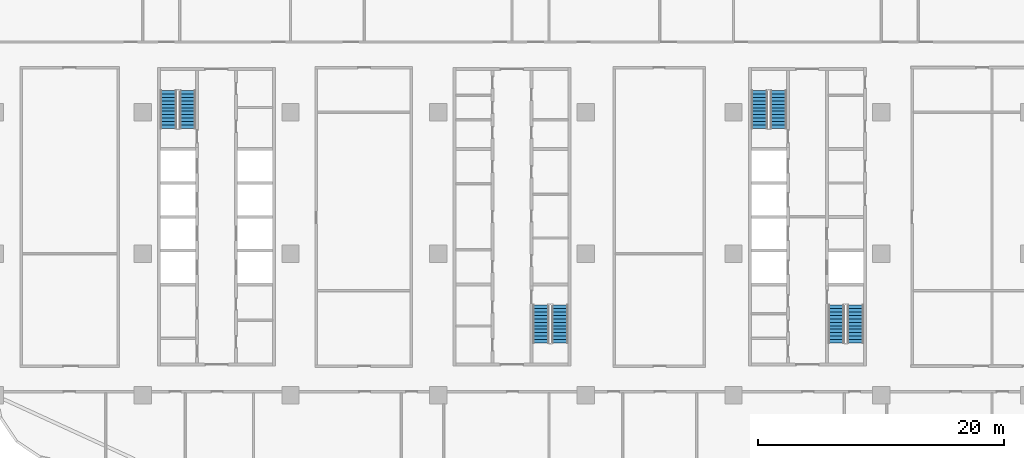
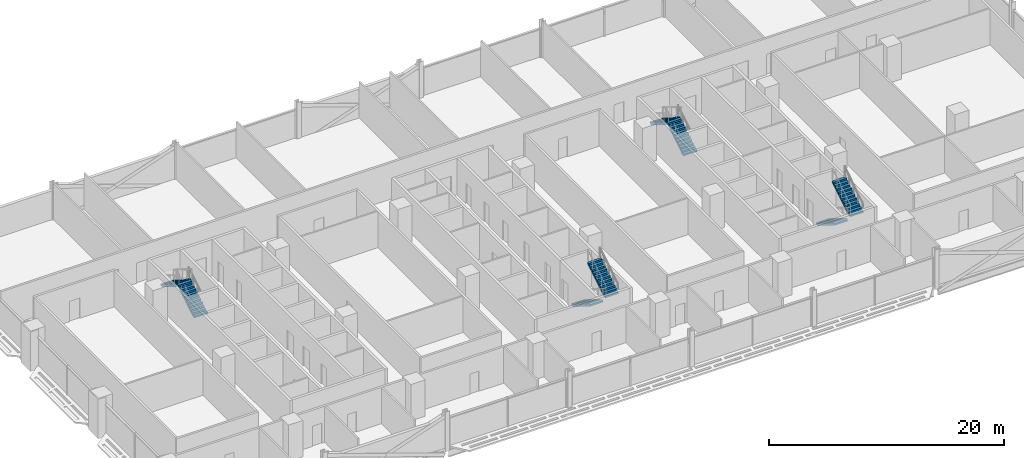
# One storey, part 18 of 29: 8 stair flights, 4 elements without a shape of their own.
"""IFC4 building model written with IfcOpenShell, lengths in metres."""

from ifc_helpers import new_model, si_unit, direction, frame, origin, place, context, subcontext, project, spatial, polyline, outline, extrude, material, type_object, element, aggregate, save


model = new_model("IFC4")

# Units and contexts
model_context = context("Model", 3, precision=1e-05, world=origin(), true_north=direction((0.0, 1.0)))
body_context = subcontext(model_context, "Body", "Model", "MODEL_VIEW")
ifc_project = project(units=[si_unit("LENGTHUNIT", "METRE"), si_unit("AREAUNIT", "SQUARE_METRE"), si_unit("VOLUMEUNIT", "CUBIC_METRE"), si_unit("PLANEANGLEUNIT", "RADIAN"), si_unit("MASSUNIT", "GRAM", prefix="KILO")], contexts=[model_context])

# Site, building, storey
site_placement = place(None, origin())
site = spatial("IfcSite", under=ifc_project, at=site_placement, CompositionType="ELEMENT")
building_placement = place(site_placement, origin())
building = spatial("IfcBuilding", under=site, at=building_placement, Name="Mahtab Terrace Research Tower", CompositionType="ELEMENT")
storey_placement = place(building_placement, frame((0.0, 0.0, 88.89990234375)))
storey = spatial("IfcBuildingStorey", under=building, at=storey_placement, Name="L20", CompositionType="ELEMENT", Elevation=88.89990234375)

# Stair, stair flights
ifc_material_1 = material(Name="Exit stair half-turn")
stair_type = type_object("IfcStairType", Name="Exit stair half-turn", PredefinedType="HALF_TURN_STAIR", material=ifc_material_1)
stair_1_placement = place(storey_placement, origin())
stair_1 = element("IfcStair", 1, at=stair_1_placement, inside=storey, type_object=stair_type, Name="L20 Protected exit stair ST1", PredefinedType="HALF_TURN_STAIR")
ifc_material_2 = material(Name="Concrete C40/50", Category="concrete")
stair_flight_type = type_object("IfcStairFlightType", Name="Exit stair flight 1300", PredefinedType="STRAIGHT", material=ifc_material_2)
stair_flight_1_placement = place(storey_placement, frame((-26.35009765625, 10.175048828125, 0.0), z_axis=(0.0, 0.0, 1.0), x_axis=(0.0, 1.0, 0.0)))
stair_flight_1 = element("IfcStairFlight", 2, at=stair_flight_1_placement, type_object=stair_flight_type, Name="ST1 flight 1", NumberOfRisers=12, NumberOfTreads=11, PredefinedType="STRAIGHT", RiserHeight=0.170833333, TreadLength=0.28, context=body_context, shape_type="SweptSolid", body=[
    extrude(outline(polyline([(0.0, 0.0), (0.0, 0.1708984375), (0.280029296875, 0.1708984375), (0.280029296875, 0.341552734375), (0.56005859375, 0.341552734375), (0.56005859375, 0.512451171875), (0.840087890625, 0.512451171875), (0.840087890625, 0.683349609375), (1.1201171875, 0.683349609375), (1.1201171875, 0.854248046875), (1.39990234375, 0.854248046875), (1.39990234375, 1.02490234375), (1.679931640625, 1.02490234375), (1.679931640625, 1.19580078125), (1.9599609375, 1.19580078125), (1.9599609375, 1.36669921875), (2.239990234375, 1.36669921875), (2.239990234375, 1.53759765625), (2.52001953125, 1.53759765625), (2.52001953125, 1.708251953125), (2.800048828125, 1.708251953125), (2.800048828125, 1.879150390625), (3.080078125, 1.879150390625), (3.080078125, 2.050048828125), (3.080078125, 1.70361328125), (0.287841796875, 0.0), (0.0, 0.0)])), frame((0.0, 0.64990234375, 0.0), z_axis=(0.0, -1.0, 0.0), x_axis=(1.0, 0.0, 0.0)), (0.0, 0.0, 1.0), 1.300048828125),
])
stair_flight_2_placement = place(storey_placement, frame((-27.89990234375, 13.2548828125, 2.050048828125), z_axis=(0.0, 0.0, 1.0), x_axis=(0.0, -1.0, 0.0)))
stair_flight_2 = element("IfcStairFlight", 3, at=stair_flight_2_placement, type_object=stair_flight_type, Name="ST1 flight 2", NumberOfRisers=12, NumberOfTreads=11, PredefinedType="STRAIGHT", RiserHeight=0.170833333, TreadLength=0.28, context=body_context, shape_type="SweptSolid", body=[
    extrude(outline(polyline([(0.0, 0.0), (0.0, 0.1708984375), (0.280029296875, 0.1708984375), (0.280029296875, 0.341552734375), (0.56005859375, 0.341552734375), (0.56005859375, 0.512451171875), (0.840087890625, 0.512451171875), (0.840087890625, 0.683349609375), (1.1201171875, 0.683349609375), (1.1201171875, 0.854248046875), (1.39990234375, 0.854248046875), (1.39990234375, 1.02490234375), (1.679931640625, 1.02490234375), (1.679931640625, 1.19580078125), (1.9599609375, 1.19580078125), (1.9599609375, 1.36669921875), (2.239990234375, 1.36669921875), (2.239990234375, 1.53759765625), (2.52001953125, 1.53759765625), (2.52001953125, 1.708251953125), (2.800048828125, 1.708251953125), (2.800048828125, 1.879150390625), (3.080078125, 1.879150390625), (3.080078125, 2.050048828125), (3.080078125, 1.70361328125), (0.287841796875, 0.0), (0.0, 0.0)])), frame((0.0, 0.64990234375, 0.0), z_axis=(0.0, -1.0, 0.0), x_axis=(1.0, 0.0, 0.0)), (0.0, 0.0, 1.0), 1.300048828125),
])
aggregate(stair_1, [stair_flight_1, stair_flight_2])

stair_2_placement = place(storey_placement, origin())
stair_2 = element("IfcStair", 4, at=stair_2_placement, inside=storey, type_object=stair_type, Name="L20 Protected exit stair ST2", PredefinedType="HALF_TURN_STAIR")
stair_flight_3_placement = place(storey_placement, frame((2.35009765625, -4.175048828125, 0.0), z_axis=(0.0, 0.0, 1.0), x_axis=(0.0, -1.0, 0.0)))
stair_flight_3 = element("IfcStairFlight", 5, at=stair_flight_3_placement, type_object=stair_flight_type, Name="ST2 flight 1", NumberOfRisers=12, NumberOfTreads=11, PredefinedType="STRAIGHT", RiserHeight=0.170833333, TreadLength=0.28, context=body_context, shape_type="SweptSolid", body=[
    extrude(outline(polyline([(0.0, 0.0), (0.0, 0.1708984375), (0.280029296875, 0.1708984375), (0.280029296875, 0.341552734375), (0.56005859375, 0.341552734375), (0.56005859375, 0.512451171875), (0.840087890625, 0.512451171875), (0.840087890625, 0.683349609375), (1.1201171875, 0.683349609375), (1.1201171875, 0.854248046875), (1.39990234375, 0.854248046875), (1.39990234375, 1.02490234375), (1.679931640625, 1.02490234375), (1.679931640625, 1.19580078125), (1.9599609375, 1.19580078125), (1.9599609375, 1.36669921875), (2.239990234375, 1.36669921875), (2.239990234375, 1.53759765625), (2.52001953125, 1.53759765625), (2.52001953125, 1.708251953125), (2.800048828125, 1.708251953125), (2.800048828125, 1.879150390625), (3.080078125, 1.879150390625), (3.080078125, 2.050048828125), (3.080078125, 1.70361328125), (0.287841796875, 0.0), (0.0, 0.0)])), frame((0.0, 0.64990234375, 0.0), z_axis=(0.0, -1.0, 0.0), x_axis=(1.0, 0.0, 0.0)), (0.0, 0.0, 1.0), 1.300048828125),
])
stair_flight_4_placement = place(storey_placement, frame((3.89990234375, -7.2548828125, 2.050048828125), z_axis=(0.0, 0.0, 1.0), x_axis=(0.0, 1.0, 0.0)))
stair_flight_4 = element("IfcStairFlight", 6, at=stair_flight_4_placement, type_object=stair_flight_type, Name="ST2 flight 2", NumberOfRisers=12, NumberOfTreads=11, PredefinedType="STRAIGHT", RiserHeight=0.170833333, TreadLength=0.28, context=body_context, shape_type="SweptSolid", body=[
    extrude(outline(polyline([(0.0, 0.0), (0.0, 0.1708984375), (0.280029296875, 0.1708984375), (0.280029296875, 0.341552734375), (0.56005859375, 0.341552734375), (0.56005859375, 0.512451171875), (0.840087890625, 0.512451171875), (0.840087890625, 0.683349609375), (1.1201171875, 0.683349609375), (1.1201171875, 0.854248046875), (1.39990234375, 0.854248046875), (1.39990234375, 1.02490234375), (1.679931640625, 1.02490234375), (1.679931640625, 1.19580078125), (1.9599609375, 1.19580078125), (1.9599609375, 1.36669921875), (2.239990234375, 1.36669921875), (2.239990234375, 1.53759765625), (2.52001953125, 1.53759765625), (2.52001953125, 1.708251953125), (2.800048828125, 1.708251953125), (2.800048828125, 1.879150390625), (3.080078125, 1.879150390625), (3.080078125, 2.050048828125), (3.080078125, 1.70361328125), (0.287841796875, 0.0), (0.0, 0.0)])), frame((0.0, 0.64990234375, 0.0), z_axis=(0.0, -1.0, 0.0), x_axis=(1.0, 0.0, 0.0)), (0.0, 0.0, 1.0), 1.300048828125),
])
aggregate(stair_2, [stair_flight_3, stair_flight_4])

stair_3_placement = place(storey_placement, origin())
stair_3 = element("IfcStair", 7, at=stair_3_placement, inside=storey, type_object=stair_type, Name="L20 Protected exit stair ST3", PredefinedType="HALF_TURN_STAIR")
stair_flight_5_placement = place(storey_placement, frame((21.64990234375, 10.175048828125, 0.0), z_axis=(0.0, 0.0, 1.0), x_axis=(0.0, 1.0, 0.0)))
stair_flight_5 = element("IfcStairFlight", 8, at=stair_flight_5_placement, type_object=stair_flight_type, Name="ST3 flight 1", NumberOfRisers=12, NumberOfTreads=11, PredefinedType="STRAIGHT", RiserHeight=0.170833333, TreadLength=0.28, context=body_context, shape_type="SweptSolid", body=[
    extrude(outline(polyline([(0.0, 0.0), (0.0, 0.1708984375), (0.280029296875, 0.1708984375), (0.280029296875, 0.341552734375), (0.56005859375, 0.341552734375), (0.56005859375, 0.512451171875), (0.840087890625, 0.512451171875), (0.840087890625, 0.683349609375), (1.1201171875, 0.683349609375), (1.1201171875, 0.854248046875), (1.39990234375, 0.854248046875), (1.39990234375, 1.02490234375), (1.679931640625, 1.02490234375), (1.679931640625, 1.19580078125), (1.9599609375, 1.19580078125), (1.9599609375, 1.36669921875), (2.239990234375, 1.36669921875), (2.239990234375, 1.53759765625), (2.52001953125, 1.53759765625), (2.52001953125, 1.708251953125), (2.800048828125, 1.708251953125), (2.800048828125, 1.879150390625), (3.080078125, 1.879150390625), (3.080078125, 2.050048828125), (3.080078125, 1.70361328125), (0.287841796875, 0.0), (0.0, 0.0)])), frame((0.0, 0.64990234375, 0.0), z_axis=(0.0, -1.0, 0.0), x_axis=(1.0, 0.0, 0.0)), (0.0, 0.0, 1.0), 1.300048828125),
])
stair_flight_6_placement = place(storey_placement, frame((20.10009765625, 13.2548828125, 2.050048828125), z_axis=(0.0, 0.0, 1.0), x_axis=(0.0, -1.0, 0.0)))
stair_flight_6 = element("IfcStairFlight", 9, at=stair_flight_6_placement, type_object=stair_flight_type, Name="ST3 flight 2", NumberOfRisers=12, NumberOfTreads=11, PredefinedType="STRAIGHT", RiserHeight=0.170833333, TreadLength=0.28, context=body_context, shape_type="SweptSolid", body=[
    extrude(outline(polyline([(0.0, 0.0), (0.0, 0.1708984375), (0.280029296875, 0.1708984375), (0.280029296875, 0.341552734375), (0.56005859375, 0.341552734375), (0.56005859375, 0.512451171875), (0.840087890625, 0.512451171875), (0.840087890625, 0.683349609375), (1.1201171875, 0.683349609375), (1.1201171875, 0.854248046875), (1.39990234375, 0.854248046875), (1.39990234375, 1.02490234375), (1.679931640625, 1.02490234375), (1.679931640625, 1.19580078125), (1.9599609375, 1.19580078125), (1.9599609375, 1.36669921875), (2.239990234375, 1.36669921875), (2.239990234375, 1.53759765625), (2.52001953125, 1.53759765625), (2.52001953125, 1.708251953125), (2.800048828125, 1.708251953125), (2.800048828125, 1.879150390625), (3.080078125, 1.879150390625), (3.080078125, 2.050048828125), (3.080078125, 1.70361328125), (0.287841796875, 0.0), (0.0, 0.0)])), frame((0.0, 0.64990234375, 0.0), z_axis=(0.0, -1.0, 0.0), x_axis=(1.0, 0.0, 0.0)), (0.0, 0.0, 1.0), 1.300048828125),
])
aggregate(stair_3, [stair_flight_5, stair_flight_6])

stair_4_placement = place(storey_placement, origin())
stair_4 = element("IfcStair", 10, at=stair_4_placement, inside=storey, type_object=stair_type, Name="L20 Protected exit stair ST4", PredefinedType="HALF_TURN_STAIR")
stair_flight_7_placement = place(storey_placement, frame((26.35009765625, -4.175048828125, 0.0), z_axis=(0.0, 0.0, 1.0), x_axis=(0.0, -1.0, 0.0)))
stair_flight_7 = element("IfcStairFlight", 11, at=stair_flight_7_placement, type_object=stair_flight_type, Name="ST4 flight 1", NumberOfRisers=12, NumberOfTreads=11, PredefinedType="STRAIGHT", RiserHeight=0.170833333, TreadLength=0.28, context=body_context, shape_type="SweptSolid", body=[
    extrude(outline(polyline([(0.0, 0.0), (0.0, 0.1708984375), (0.280029296875, 0.1708984375), (0.280029296875, 0.341552734375), (0.56005859375, 0.341552734375), (0.56005859375, 0.512451171875), (0.840087890625, 0.512451171875), (0.840087890625, 0.683349609375), (1.1201171875, 0.683349609375), (1.1201171875, 0.854248046875), (1.39990234375, 0.854248046875), (1.39990234375, 1.02490234375), (1.679931640625, 1.02490234375), (1.679931640625, 1.19580078125), (1.9599609375, 1.19580078125), (1.9599609375, 1.36669921875), (2.239990234375, 1.36669921875), (2.239990234375, 1.53759765625), (2.52001953125, 1.53759765625), (2.52001953125, 1.708251953125), (2.800048828125, 1.708251953125), (2.800048828125, 1.879150390625), (3.080078125, 1.879150390625), (3.080078125, 2.050048828125), (3.080078125, 1.70361328125), (0.287841796875, 0.0), (0.0, 0.0)])), frame((0.0, 0.64990234375, 0.0), z_axis=(0.0, -1.0, 0.0), x_axis=(1.0, 0.0, 0.0)), (0.0, 0.0, 1.0), 1.300048828125),
])
stair_flight_8_placement = place(storey_placement, frame((27.89990234375, -7.2548828125, 2.050048828125), z_axis=(0.0, 0.0, 1.0), x_axis=(0.0, 1.0, 0.0)))
stair_flight_8 = element("IfcStairFlight", 12, at=stair_flight_8_placement, type_object=stair_flight_type, Name="ST4 flight 2", NumberOfRisers=12, NumberOfTreads=11, PredefinedType="STRAIGHT", RiserHeight=0.170833333, TreadLength=0.28, context=body_context, shape_type="SweptSolid", body=[
    extrude(outline(polyline([(0.0, 0.0), (0.0, 0.1708984375), (0.280029296875, 0.1708984375), (0.280029296875, 0.341552734375), (0.56005859375, 0.341552734375), (0.56005859375, 0.512451171875), (0.840087890625, 0.512451171875), (0.840087890625, 0.683349609375), (1.1201171875, 0.683349609375), (1.1201171875, 0.854248046875), (1.39990234375, 0.854248046875), (1.39990234375, 1.02490234375), (1.679931640625, 1.02490234375), (1.679931640625, 1.19580078125), (1.9599609375, 1.19580078125), (1.9599609375, 1.36669921875), (2.239990234375, 1.36669921875), (2.239990234375, 1.53759765625), (2.52001953125, 1.53759765625), (2.52001953125, 1.708251953125), (2.800048828125, 1.708251953125), (2.800048828125, 1.879150390625), (3.080078125, 1.879150390625), (3.080078125, 2.050048828125), (3.080078125, 1.70361328125), (0.287841796875, 0.0), (0.0, 0.0)])), frame((0.0, 0.64990234375, 0.0), z_axis=(0.0, -1.0, 0.0), x_axis=(1.0, 0.0, 0.0)), (0.0, 0.0, 1.0), 1.300048828125),
])
aggregate(stair_4, [stair_flight_7, stair_flight_8])

save(model, "model.ifc")
